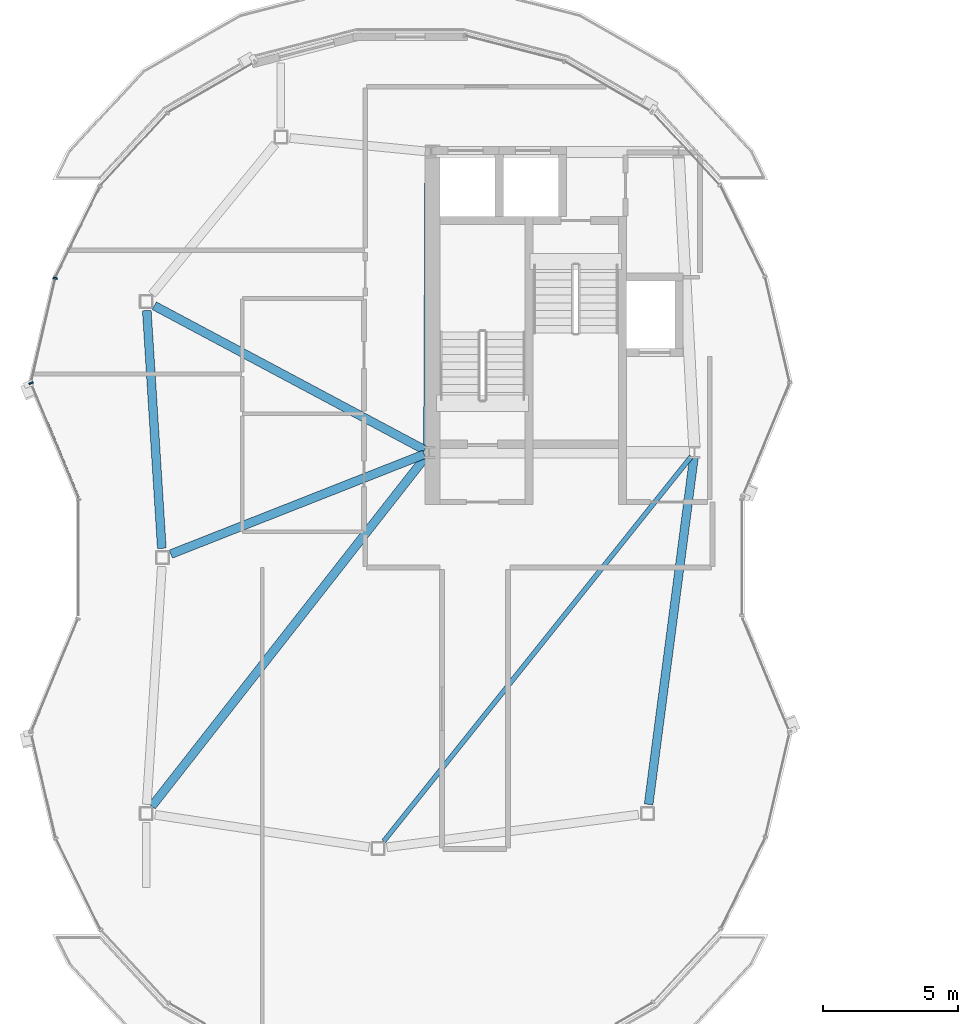
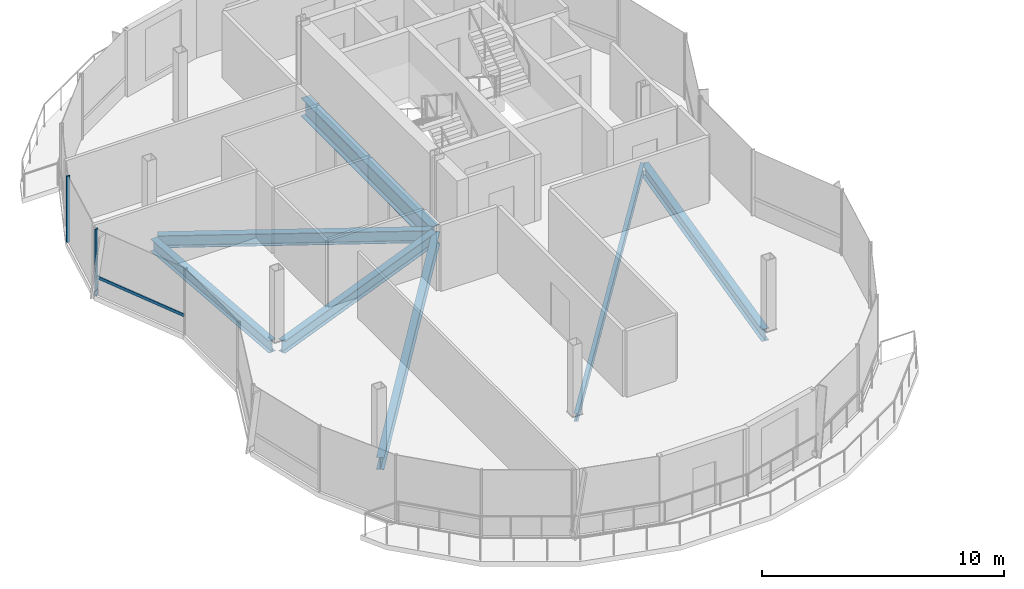
# One storey, part 4 of 20: 7 beams, 3 members, 1 element without a shape of its own.
"""IFC4 building model written with IfcOpenShell, lengths in metres."""

from ifc_helpers import new_model, si_unit, direction, frame, origin, origin_2d, place, context, subcontext, project, spatial, rectangle, i_section, extrude, material, material_profile, profile_set, type_object, element, aggregate, save


model = new_model("IFC4")

# Units and contexts
model_context = context("Model", 3, precision=1e-05, world=origin(), true_north=direction((0.0, 1.0)))
body_context = subcontext(model_context, "Body", "Model", "MODEL_VIEW")
ifc_project = project(units=[si_unit("LENGTHUNIT", "METRE"), si_unit("AREAUNIT", "SQUARE_METRE"), si_unit("VOLUMEUNIT", "CUBIC_METRE"), si_unit("PLANEANGLEUNIT", "RADIAN"), si_unit("MASSUNIT", "GRAM", prefix="KILO"), si_unit("THERMODYNAMICTEMPERATUREUNIT", "KELVIN"), si_unit("POWERUNIT", "WATT")], contexts=[model_context])

# Site, building, storey
site_placement = place(None, origin())
site = spatial("IfcSite", under=ifc_project, at=site_placement, CompositionType="ELEMENT")
building_placement = place(site_placement, origin())
building = spatial("IfcBuilding", under=site, at=building_placement, Name="Cundina Bronze Exchange", CompositionType="ELEMENT")
storey_placement = place(building_placement, frame((0.0, 0.0, 282.800048828125)))
storey = spatial("IfcBuildingStorey", under=building, at=storey_placement, Name="L75", CompositionType="ELEMENT", Elevation=282.800048828125)

# Beams
ifc_material_1 = material(Name="Steel ASTM A992 Grade 50", Category="steel")
ifc_material_profile_1 = material_profile(ifc_material_1, i_section(OverallWidth=0.178955078125, OverallDepth=0.409912109375, WebThickness=0.0087890625, FlangeThickness=0.014404296875, FilletRadius=0.010986328125, at=origin_2d()), Name="W16X45", Category="steel")
ifc_profile_set_1 = profile_set([ifc_material_profile_1], Name="Steel ASTM A992 Grade 50")
beam_type_1 = type_object("IfcBeamType", Name="BM-JST-W16", PredefinedType="JOIST", material=ifc_profile_set_1)
beam_1_placement = place(storey_placement, frame((-21.572509765625, 3.746826171875, -0.465087890625), z_axis=(-0.624372589071, -0.781126667076, 0.0), x_axis=(0.781126667076, -0.624372589071, 0.0)))
element("IfcBeam", 1, at=beam_1_placement, inside=storey, type_object=beam_type_1, Name="L75 W Interior Core-to-Ring Joist 2", PredefinedType="JOIST", context=body_context, shape_type="SweptSolid", body=[
    extrude(i_section(OverallWidth=0.178955078125, OverallDepth=0.409912109375, WebThickness=0.0087890625, FlangeThickness=0.014404296875, FilletRadius=0.010986328125, at=origin_2d()), origin(), (0.0, 0.0, 1.0), 18.28466796875),
])
ifc_material_profile_2 = material_profile(ifc_material_1, i_section(OverallWidth=0.324951171875, OverallDepth=0.615966796875, WebThickness=0.013916015625, FlangeThickness=0.021484375, FilletRadius=0.01611328125, at=origin_2d()), Name="W24X117", Category="steel")
ifc_profile_set_2 = profile_set([ifc_material_profile_2], Name="Steel ASTM A992 Grade 50")
beam_type_2 = type_object("IfcBeamType", Name="BM-RING-W24", PredefinedType="USERDEFINED", material=ifc_profile_set_2)
beam_2_placement = place(storey_placement, frame((-41.77880859375, 9.16259765625, -0.568115234375), z_axis=(0.063058935332, -0.998009804899, 0.0), x_axis=(0.998009804899, 0.063058935332, 0.0)))
element("IfcBeam", 2, at=beam_2_placement, inside=storey, type_object=beam_type_2, Name="L75 W Inner Structural Ring Girder 03", ObjectType="GIRDER", PredefinedType="USERDEFINED", context=body_context, shape_type="SweptSolid", body=[
    extrude(i_section(OverallWidth=0.324951171875, OverallDepth=0.615966796875, WebThickness=0.013916015625, FlangeThickness=0.021484375, FilletRadius=0.01611328125, at=origin_2d()), origin(), (0.0, 0.0, 1.0), 8.8427734375),
])
beam_3_placement = place(storey_placement, frame((-23.15625, -9.164794921875, -0.568115234375), z_axis=(0.12950080795, 0.991579316414, 0.0), x_axis=(-0.991579316414, 0.12950080795, 0.0)))
element("IfcBeam", 3, at=beam_3_placement, inside=storey, type_object=beam_type_2, Name="L75 W Inner Structural Ring Girder 07", ObjectType="GIRDER", PredefinedType="USERDEFINED", context=body_context, shape_type="SweptSolid", body=[
    extrude(i_section(OverallWidth=0.324951171875, OverallDepth=0.615966796875, WebThickness=0.013916015625, FlangeThickness=0.021484375, FilletRadius=0.01611328125, at=origin_2d()), origin(), (0.0, 0.0, 1.0), 12.97998046875),
])
beam_4_placement = place(storey_placement, frame((-31.482421875, 3.828125, -0.568115234375), z_axis=(-0.93040489789, -0.366533389996, 0.0), x_axis=(0.366533389996, -0.93040489789, 0.0)))
element("IfcBeam", 4, at=beam_4_placement, inside=storey, type_object=beam_type_2, Name="L75 W Core-to-Waist Tie Beam 1", ObjectType="GIRDER", PredefinedType="USERDEFINED", context=body_context, shape_type="SweptSolid", body=[
    extrude(i_section(OverallWidth=0.324951171875, OverallDepth=0.615966796875, WebThickness=0.013916015625, FlangeThickness=0.021484375, FilletRadius=0.01611328125, at=origin_2d()), origin(), (0.0, 0.0, 1.0), 10.1064453125),
])
beam_5_placement = place(storey_placement, frame((-31.472900390625, 3.9921875, -0.568115234375), z_axis=(-0.882355319573, 0.470583775773, 0.0), x_axis=(-0.470583775773, -0.882355319573, 0.0)))
element("IfcBeam", 5, at=beam_5_placement, inside=storey, type_object=beam_type_2, Name="L75 W Core-to-Waist Tie Beam 2", ObjectType="GIRDER", PredefinedType="USERDEFINED", context=body_context, shape_type="SweptSolid", body=[
    extrude(i_section(OverallWidth=0.324951171875, OverallDepth=0.615966796875, WebThickness=0.013916015625, FlangeThickness=0.021484375, FilletRadius=0.01611328125, at=origin_2d()), origin(), (0.0, 0.0, 1.0), 11.365966796875),
])
beam_6_placement = place(storey_placement, frame((-31.4208984375, 3.74560546875, -0.568115234375), z_axis=(-0.616789200607, -0.787128377087, 0.0), x_axis=(0.787128377087, -0.616789200607, 0.0)))
element("IfcBeam", 6, at=beam_6_placement, inside=storey, type_object=beam_type_2, Name="L75 W Core-to-Waist Tie Beam 3", ObjectType="GIRDER", PredefinedType="USERDEFINED", context=body_context, shape_type="SweptSolid", body=[
    extrude(i_section(OverallWidth=0.324951171875, OverallDepth=0.615966796875, WebThickness=0.013916015625, FlangeThickness=0.021484375, FilletRadius=0.01611328125, at=origin_2d()), origin(), (0.0, 0.0, 1.0), 16.48974609375),
])
ifc_material_profile_3 = material_profile(ifc_material_1, i_section(OverallWidth=0.41796875, OverallDepth=0.927001953125, WebThickness=0.019287109375, FlangeThickness=0.031982421875, FilletRadius=0.02392578125, at=origin_2d()), Name="W36X231", Category="steel")
ifc_profile_set_3 = profile_set([ifc_material_profile_3], Name="Steel ASTM A992 Grade 50")
beam_type_3 = type_object("IfcBeamType", Name="BM-WRN-W36B", PredefinedType="USERDEFINED", material=ifc_profile_set_3)
beam_7_placement = place(storey_placement, frame((-31.2509765625, 14.85400390625, -0.7236328125), z_axis=(-0.004470623654, -0.999990006712, 0.0), x_axis=(0.999990006712, -0.004470623654, 0.0)))
element("IfcBeam", 7, at=beam_7_placement, inside=storey, type_object=beam_type_3, Name="L75 W Core Perimeter Tie Girder 4", ObjectType="GIRDER", PredefinedType="USERDEFINED", context=body_context, shape_type="SweptSolid", body=[
    extrude(i_section(OverallWidth=0.41796875, OverallDepth=0.927001953125, WebThickness=0.019287109375, FlangeThickness=0.031982421875, FilletRadius=0.02392578125, at=origin_2d()), origin(), (0.0, 0.0, 1.0), 10.758056640625),
])

# Curtain wall, members
ifc_material_2 = material(Name="Anodised Bronze Aluminium 6063-T6", Category="aluminium")
curtain_wall_type = type_object("IfcCurtainWallType", Name="CWS-CRN-TMD", PredefinedType="NOTDEFINED", material=ifc_material_2)
curtain_wall_placement = place(storey_placement, origin())
curtain_wall = element("IfcCurtainWall", 8, at=curtain_wall_placement, inside=storey, type_object=curtain_wall_type, Name="L75 CW-07 Curtain Wall Run CWR-L75-W2", PredefinedType="NOTDEFINED")
ifc_material_profile_4 = material_profile(ifc_material_2, rectangle(XDim=0.06494140625, YDim=0.159912109375, at=origin_2d()), Name="AL65X160", Category="aluminium")
ifc_profile_set_4 = profile_set([ifc_material_profile_4], Name="Anodised Bronze Aluminium 6063-T6")
member_type_1 = type_object("IfcMemberType", Name="CWM-MUL-160", PredefinedType="MULLION", material=ifc_profile_set_4)
member_1_placement = place(storey_placement, frame((-45.178955078125, 10.361083984375, 0.0), z_axis=(0.0, 0.0, 1.0), x_axis=(-0.226311311886, -0.974055024171, 0.0)))
member_1 = element("IfcMember", 9, at=member_1_placement, type_object=member_type_1, Name="CW-07 Mullion 4", PredefinedType="MULLION", context=body_context, shape_type="SweptSolid", body=[
    extrude(rectangle(XDim=0.06494140625, YDim=0.159912109375, at=origin_2d()), origin(), (0.0, 0.0, 1.0), 3.33984375),
])
member_2_placement = place(storey_placement, frame((-46.0751953125, 6.46923828125, 0.0), z_axis=(0.0, 0.0, 1.0), x_axis=(0.383167122078, -0.9236790333, 0.0)))
member_2 = element("IfcMember", 10, at=member_2_placement, type_object=member_type_1, Name="CW-07 Mullion 5", PredefinedType="MULLION", context=body_context, shape_type="SweptSolid", body=[
    extrude(rectangle(XDim=0.06494140625, YDim=0.159912109375, at=origin_2d()), origin(), (0.0, 0.0, 1.0), 3.33984375),
])
ifc_material_profile_5 = material_profile(ifc_material_2, rectangle(XDim=0.06494140625, YDim=0.14990234375, at=origin_2d()), Name="AL65X150", Category="aluminium")
ifc_profile_set_5 = profile_set([ifc_material_profile_5], Name="Anodised Bronze Aluminium 6063-T6")
member_type_2 = type_object("IfcMemberType", Name="CWM-TRN-150", PredefinedType="USERDEFINED", material=ifc_profile_set_5)
member_3_placement = place(storey_placement, frame((-46.0615234375, 6.436279296875, 0.919921875), z_axis=(0.383244403606, -0.923646971036, 0.0), x_axis=(0.923646971036, 0.383244403606, 0.0)))
member_3 = element("IfcMember", 11, at=member_3_placement, type_object=member_type_2, Name="CW-07 Spandrel Transom 5", ObjectType="TRANSOM", PredefinedType="USERDEFINED", context=body_context, shape_type="SweptSolid", body=[
    extrude(rectangle(XDim=0.06494140625, YDim=0.14990234375, at=origin_2d()), origin(), (0.0, 0.0, 1.0), 4.540771484375),
])
aggregate(curtain_wall, [member_1, member_2, member_3])

save(model, "model.ifc")
